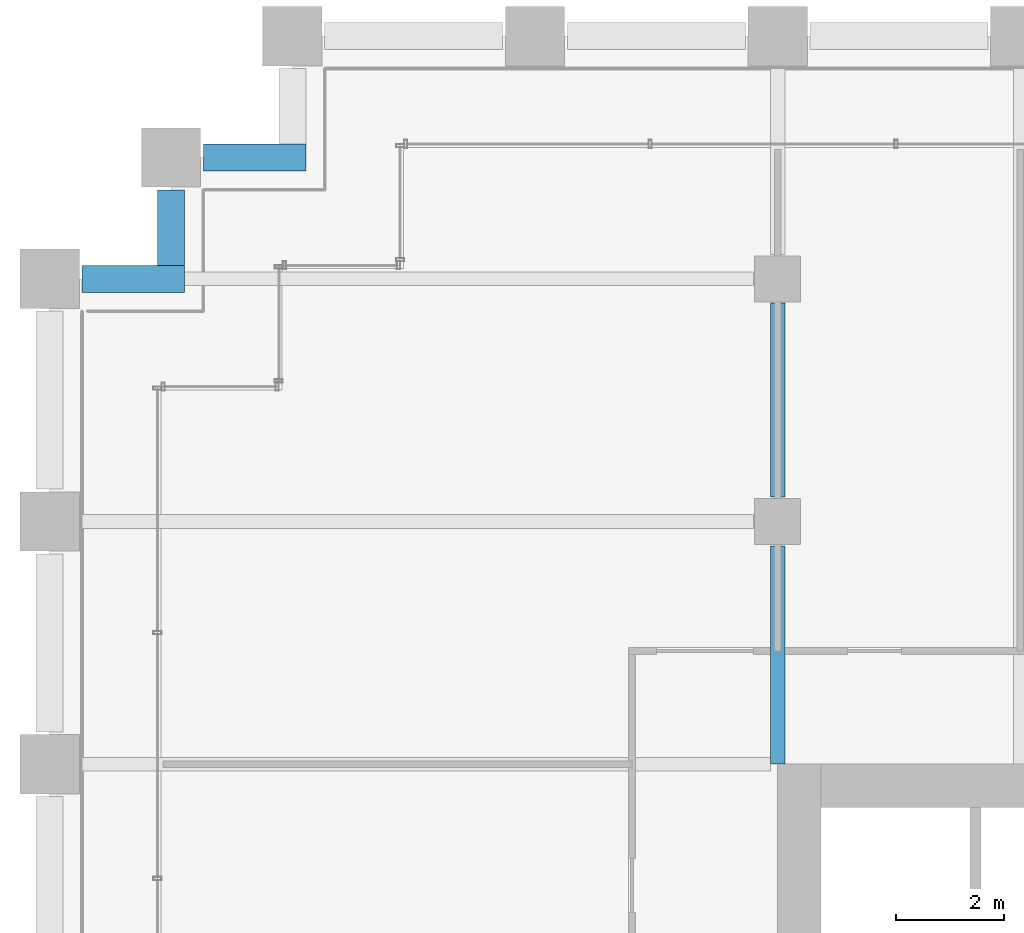
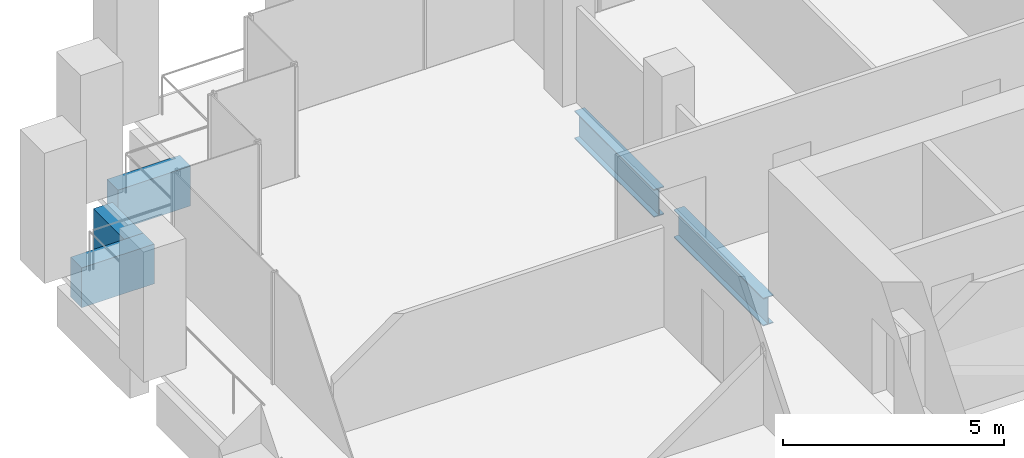
# One storey, part 25 of 55: 5 beams.
"""IFC4 building model written with IfcOpenShell, lengths in metres."""

import ifcopenshell
import ifcopenshell.guid

model = None  # the IFC model being written
_history = None  # IfcOwnerHistory: only IFC2X3 demands one
_inside = {}  # id of a spatial element -> (the spatial element, [elements in it])
_under = {}  # id of a project, library or spatial element -> (it, [spatial elements below it])
_declared = {}  # id of a project -> (the project, [libraries it declares])
_typed = {}  # id of a type object -> (the type object, [elements of that type])
_made_of = {}  # id of a material, layer set ... -> (it, [elements and type objects made of it])


def new_model(schema):
    """Start an empty IFC model of exactly this schema.

    Asked for "IFC4X3", IfcOpenShell would pick the latest addendum, in which some entities
    have other attributes; the version numbers below select the first issue.
    IFC2X3 requires an IfcOwnerHistory on every rooted entity: one is made here for all.
    """
    global model, _history
    if schema == "IFC4X3":
        model = ifcopenshell.file(schema_version=(4, 3, 0, 0))
    else:
        model = ifcopenshell.file(schema=schema)
    _inside.clear()
    _under.clear()
    _declared.clear()
    _typed.clear()
    _made_of.clear()
    _history = None
    if model.schema == "IFC2X3":
        org = make("IfcOrganization", Name="unknown")
        user = make(
            "IfcPersonAndOrganization",
            ThePerson=make("IfcPerson", FamilyName="unknown"),
            TheOrganization=org,
        )
        app = make(
            "IfcApplication",
            ApplicationDeveloper=org,
            Version="unknown",
            ApplicationFullName="unknown",
            ApplicationIdentifier="unknown",
        )
        _history = make(
            "IfcOwnerHistory",
            OwningUser=user,
            OwningApplication=app,
            ChangeAction="ADDED",
            CreationDate=0,
        )
    return model


def make(cls, **values):
    """One entity of the class cls with the attributes given. An attribute that is None is left unset."""
    return model.create_entity(
        cls, **{name: value for name, value in values.items() if value is not None}
    )


def rooted(cls, **values):
    """An entity with a GlobalId (a new one), such as an element, a storey or a relation."""
    return make(cls, GlobalId=ifcopenshell.guid.new(), OwnerHistory=_history, **values)


def si_unit(unit_type, name, prefix=None):
    """IfcSIUnit, for example si_unit("LENGTHUNIT", "METRE", prefix="MILLI")."""
    return make("IfcSIUnit", UnitType=unit_type, Prefix=prefix, Name=name)


def assignment(units):
    """IfcUnitAssignment: the units of a project."""
    return None if units is None else make("IfcUnitAssignment", Units=units)


def point(xyz):
    """IfcCartesianPoint."""
    return None if xyz is None else make("IfcCartesianPoint", Coordinates=xyz)


def direction(xyz):
    """IfcDirection."""
    return None if xyz is None else make("IfcDirection", DirectionRatios=xyz)


def frame(location, z_axis=None, x_axis=None):
    """IfcAxis2Placement3D, a coordinate frame: its origin and axes. An axis left out is left unset."""
    return make(
        "IfcAxis2Placement3D",
        Location=point(location),
        Axis=direction(z_axis),
        RefDirection=direction(x_axis),
    )


def frame_2d(location, x_axis=None):
    """IfcAxis2Placement2D, a coordinate frame in the plane: its origin and x axis."""
    return make(
        "IfcAxis2Placement2D", Location=point(location), RefDirection=direction(x_axis)
    )


def origin():
    """The frame at (0, 0, 0) with its axes left unset."""
    return frame((0.0, 0.0, 0.0))


def origin_2d():
    """The frame at (0, 0) in the plane with its x axis left unset."""
    return frame_2d((0.0, 0.0))


def place(relative_to, where):
    """IfcLocalPlacement: puts the frame where relative to a parent placement (None: the world)."""
    return make(
        "IfcLocalPlacement", PlacementRelTo=relative_to, RelativePlacement=where
    )


def context(
    kind, dimensions, precision=None, world=None, true_north=None, identifier=None
):
    """IfcGeometricRepresentationContext, for example the 3D "Model" context."""
    return make(
        "IfcGeometricRepresentationContext",
        ContextIdentifier=identifier,
        ContextType=kind,
        CoordinateSpaceDimension=dimensions,
        Precision=precision,
        WorldCoordinateSystem=world,
        TrueNorth=true_north,
    )


def subcontext(parent, identifier, kind, view, scale=None):
    """IfcGeometricRepresentationSubContext, for example "Body" below "Model"."""
    return make(
        "IfcGeometricRepresentationSubContext",
        ContextIdentifier=identifier,
        ContextType=kind,
        ParentContext=parent,
        TargetScale=scale,
        TargetView=view,
    )


def project(units=None, contexts=None):
    """IfcProject with its units and contexts."""
    return rooted(
        "IfcProject",
        Name="project",
        RepresentationContexts=contexts,
        UnitsInContext=assignment(units),
    )


def spatial(cls, under=None, at=None, **own):
    """A site, building, storey or space (cls), placed at a placement, below another one or the project."""
    s = rooted(cls, ObjectPlacement=at, **own)
    if under is not None:
        _under.setdefault(under.id(), (under, []))[1].append(s)
    return s


def profile(cls, at=None, kind="AREA", **sizes):
    """A parametric profile (cls). Its sizes go by their IFC names, for example OverallWidth=200.0."""
    return make(cls, ProfileType=kind, Position=at, **sizes)


def rectangle(**sizes):
    """IfcRectangleProfileDef."""
    return profile("IfcRectangleProfileDef", **sizes)


def i_section(**sizes):
    """IfcIShapeProfileDef."""
    return profile("IfcIShapeProfileDef", **sizes)


def extrude(swept, where, along, depth):
    """IfcExtrudedAreaSolid: the profile swept, set in the frame where, extruded along a direction by depth."""
    return make(
        "IfcExtrudedAreaSolid",
        SweptArea=swept,
        Position=where,
        ExtrudedDirection=direction(along),
        Depth=depth,
    )


def shape(context_of_items, identifier, shape_type, items):
    """IfcShapeRepresentation: the items that make up one representation, for example the "Body"."""
    return make(
        "IfcShapeRepresentation",
        ContextOfItems=context_of_items,
        RepresentationIdentifier=identifier,
        RepresentationType=shape_type,
        Items=items,
    )


def material(Name=None, Category=None):
    """IfcMaterial."""
    return make("IfcMaterial", Name=Name, Category=Category)


def material_profile(
    of_material, cross_section, Name=None, Category=None, Priority=None
):
    """IfcMaterialProfile: a cross section and its material."""
    return make(
        "IfcMaterialProfile",
        Name=Name,
        Material=of_material,
        Profile=cross_section,
        Priority=Priority,
        Category=Category,
    )


def profile_set(profiles, Name=None, composite=None):
    """IfcMaterialProfileSet."""
    return make(
        "IfcMaterialProfileSet",
        Name=Name,
        MaterialProfiles=profiles,
        CompositeProfile=composite,
    )


def made_of(thing, what):
    """Note that an element or type object is made of a material, layer set ...; save() writes the relation."""
    if what is not None:
        _made_of.setdefault(what.id(), (what, []))[1].append(thing)
    return thing


def type_object(cls, material=None, **own):
    """A type object (cls), such as IfcWallType, which elements share."""
    return made_of(rooted(cls, **own), material)


def element(
    cls,
    number,
    at=None,
    inside=None,
    cuts=None,
    type_object=None,
    material=None,
    context=None,
    identifier="Body",
    shape_type=None,
    held_by="IfcProductDefinitionShape",
    body=None,
    shapes=None,
    **own,
):
    """One element of the class cls, such as IfcWall. Its Tag is "e" and its number.

    at: its placement. inside: the storey or other place that contains it. cuts: it is an
    opening in that element (IfcRelVoidsElement). A single representation is given by context,
    identifier, shape_type and body (its items); several are given by shapes. held_by: the class
    of the entity that holds the representations. save() writes the other relations.
    """
    e = rooted(cls, Tag="e%d" % number, ObjectPlacement=at, **own)
    if body is not None:
        shapes = [shape(context, identifier, shape_type, body)]
    if shapes is not None:
        e.Representation = make(held_by, Representations=shapes)
    if inside is not None:
        _inside.setdefault(inside.id(), (inside, []))[1].append(e)
    if cuts is not None:
        rooted(
            "IfcRelVoidsElement", RelatingBuildingElement=cuts, RelatedOpeningElement=e
        )
    if type_object is not None:
        _typed.setdefault(type_object.id(), (type_object, []))[1].append(e)
    return made_of(e, material)


def aggregate(whole, parts):
    """IfcRelAggregates: a whole, such as a stair, and the parts it consists of."""
    return rooted("IfcRelAggregates", RelatingObject=whole, RelatedObjects=parts)


def save(model, path):
    """Write the relations noted so far, then the file.

    IfcRelAggregates (storeys below a building ...), IfcRelContainedInSpatialStructure (elements
    in a storey), IfcRelDefinesByType, IfcRelAssociatesMaterial and IfcRelDeclares: one each for
    every whole, place, type object, material and project.
    """
    for whole, parts in _under.values():
        aggregate(whole, parts)
    for where, things in _inside.values():
        rooted(
            "IfcRelContainedInSpatialStructure",
            RelatedElements=things,
            RelatingStructure=where,
        )
    for kind, things in _typed.values():
        rooted("IfcRelDefinesByType", RelatedObjects=things, RelatingType=kind)
    for what, things in _made_of.values():
        rooted("IfcRelAssociatesMaterial", RelatedObjects=things, RelatingMaterial=what)
    for by, libraries in _declared.values():
        rooted("IfcRelDeclares", RelatingContext=by, RelatedDefinitions=libraries)
    model.write(path)


model = new_model("IFC4")

# Units and contexts
model_context = context("Model", 3, precision=1e-05, world=origin(), true_north=direction((0.0, 1.0)))
body_context = subcontext(model_context, "Body", "Model", "MODEL_VIEW")
ifc_project = project(units=[si_unit("LENGTHUNIT", "METRE"), si_unit("AREAUNIT", "SQUARE_METRE"), si_unit("VOLUMEUNIT", "CUBIC_METRE"), si_unit("PLANEANGLEUNIT", "RADIAN"), si_unit("MASSUNIT", "GRAM", prefix="KILO")], contexts=[model_context])

# Site, building, storey
site_placement = place(None, origin())
site = spatial("IfcSite", under=ifc_project, at=site_placement, CompositionType="ELEMENT")
building_placement = place(site_placement, origin())
building = spatial("IfcBuilding", under=site, at=building_placement, Name="Altepetl Exchange Towers", CompositionType="ELEMENT")
storey_placement = place(building_placement, frame((0.0, 0.0, 47.39990234375)))
storey = spatial("IfcBuildingStorey", under=building, at=storey_placement, Name="L10", CompositionType="ELEMENT", Elevation=47.39990234375)

# Beams
ifc_material_1 = material(Name="Steel S355", Category="steel")
ifc_material_profile_1 = material_profile(ifc_material_1, i_section(OverallWidth=0.26806640625, OverallDepth=0.77392578125, WebThickness=0.015380859375, FlangeThickness=0.025390625, at=origin_2d()), Name="W30X132")
ifc_profile_set_1 = profile_set([ifc_material_profile_1], Name="Steel S355")
beam_type_1 = type_object("IfcBeamType", Name="Girder W30X132", PredefinedType="BEAM", material=ifc_profile_set_1)
beam_1_placement = place(storey_placement, frame((40.5, 67.050048828125, -0.536865234375), z_axis=(0.0, -1.0, 0.0), x_axis=(1.0, 0.0, 0.0)))
element("IfcBeam", 1, at=beam_1_placement, inside=storey, type_object=beam_type_1, Name="gd:A:L10:004", PredefinedType="BEAM", context=body_context, shape_type="SweptSolid", body=[
    extrude(i_section(OverallWidth=0.26806640625, OverallDepth=0.77392578125, WebThickness=0.015380859375, FlangeThickness=0.025390625, at=origin_2d()), origin(), (0.0, 0.0, 1.0), 3.60009765625),
])
beam_2_placement = place(storey_placement, frame((40.5, 62.550048828125, -0.536865234375), z_axis=(0.0, -1.0, 0.0), x_axis=(1.0, 0.0, 0.0)))
element("IfcBeam", 2, at=beam_2_placement, inside=storey, type_object=beam_type_1, Name="gd:A:L10:005", PredefinedType="BEAM", context=body_context, shape_type="SweptSolid", body=[
    extrude(i_section(OverallWidth=0.26806640625, OverallDepth=0.77392578125, WebThickness=0.015380859375, FlangeThickness=0.025390625, at=origin_2d()), origin(), (0.0, 0.0, 1.0), 4.050048828125),
])
ifc_material_2 = material(Name="Concrete C50/60 precast with tezontle facing", Category="concrete")
ifc_material_profile_2 = material_profile(ifc_material_2, rectangle(XDim=0.5, YDim=1.10009765625, at=origin_2d()), Name="500 x 1100")
ifc_profile_set_2 = profile_set([ifc_material_profile_2], Name="Concrete C50/60 precast with tezontle facing")
beam_type_2 = type_object("IfcBeamType", Name="Spandrel beam 500x1100 tezontle", PredefinedType="SPANDREL", material=ifc_profile_set_2)
beam_3_placement = place(storey_placement, frame((31.75, 69.75, -0.699951171875), z_axis=(-1.0, 0.0, 0.0), x_axis=(0.0, -1.0, 0.0)))
element("IfcBeam", 3, at=beam_3_placement, inside=storey, type_object=beam_type_2, Name="sp:A:L10:033", PredefinedType="SPANDREL", context=body_context, shape_type="SweptSolid", body=[
    extrude(rectangle(XDim=0.5, YDim=1.10009765625, at=origin_2d()), origin(), (0.0, 0.0, 1.0), 1.89990234375),
])
beam_4_placement = place(storey_placement, frame((29.25, 69.14990234375, -0.699951171875), z_axis=(0.0, -1.0, 0.0), x_axis=(1.0, 0.0, 0.0)))
element("IfcBeam", 4, at=beam_4_placement, inside=storey, type_object=beam_type_2, Name="sp:A:L10:034", PredefinedType="SPANDREL", context=body_context, shape_type="SweptSolid", body=[
    extrude(rectangle(XDim=0.5, YDim=1.10009765625, at=origin_2d()), origin(), (0.0, 0.0, 1.0), 1.39990234375),
])
beam_5_placement = place(storey_placement, frame((29.5, 67.5, -0.699951171875), z_axis=(-1.0, 0.0, 0.0), x_axis=(0.0, -1.0, 0.0)))
element("IfcBeam", 5, at=beam_5_placement, inside=storey, type_object=beam_type_2, Name="sp:A:L10:035", PredefinedType="SPANDREL", context=body_context, shape_type="SweptSolid", body=[
    extrude(rectangle(XDim=0.5, YDim=1.10009765625, at=origin_2d()), origin(), (0.0, 0.0, 1.0), 1.89990234375),
])

save(model, "model.ifc")
